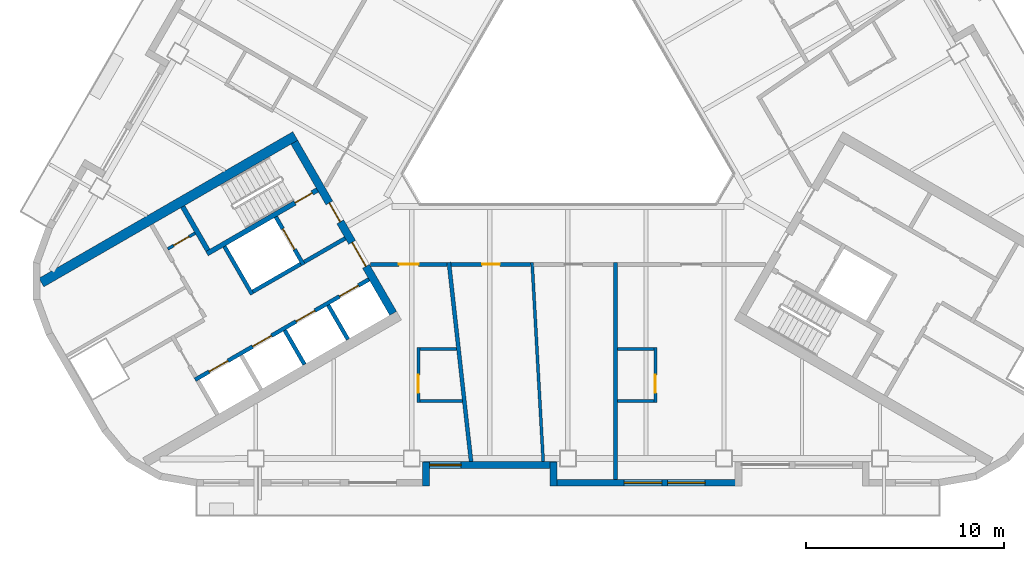
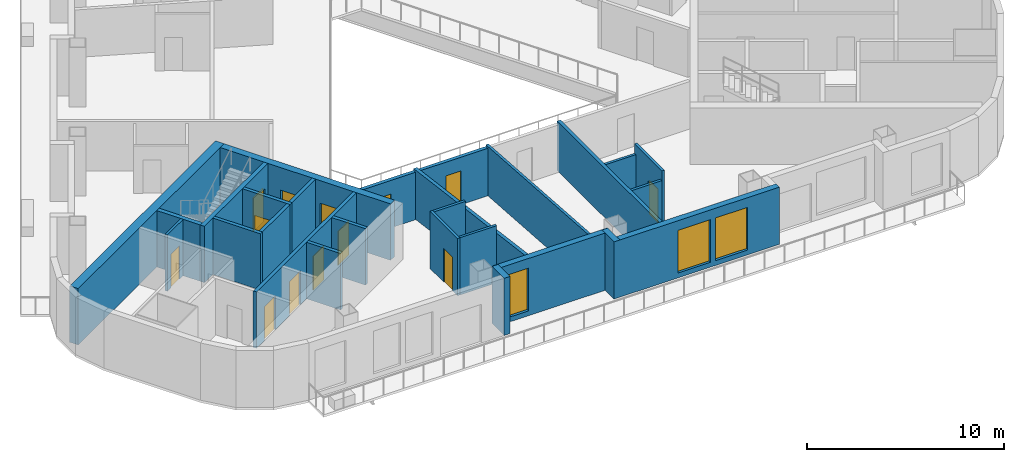
# One storey, part 3 of 13: 27 walls, 13 doors, 3 windows, 16 openings.
"""IFC4 building model written with IfcOpenShell, lengths in metres."""

from ifc_helpers import new_model, si_unit, direction, frame, frame_2d, origin, place, context, subcontext, project, spatial, rectangle, extrude, material, layer, layer_set, type_object, element, fill, save


model = new_model("IFC4")

# Units and contexts
model_context = context("Model", 3, precision=1e-05, world=origin(), true_north=direction((0.0, 1.0)))
body_context = subcontext(model_context, "Body", "Model", "MODEL_VIEW")
ifc_project = project(units=[si_unit("LENGTHUNIT", "METRE"), si_unit("AREAUNIT", "SQUARE_METRE"), si_unit("VOLUMEUNIT", "CUBIC_METRE"), si_unit("PLANEANGLEUNIT", "RADIAN"), si_unit("MASSUNIT", "GRAM", prefix="KILO")], contexts=[model_context])

# Site, building, storey
site_placement = place(None, origin())
site = spatial("IfcSite", under=ifc_project, at=site_placement, CompositionType="ELEMENT")
building_placement = place(site_placement, origin())
building = spatial("IfcBuilding", under=site, at=building_placement, Name="Apuvela Tower Hotel", CompositionType="ELEMENT")
storey_placement = place(building_placement, frame((0.0, 0.0, 165.10009765625)))
storey = spatial("IfcBuildingStorey", under=building, at=storey_placement, Name="L39", CompositionType="ELEMENT", Elevation=165.10009765625)

# Wall, openings, doors
ifc_material_1 = material(Name="Concrete C50/60", Category="concrete")
ifc_layer_1 = layer(ifc_material_1, 0.39990234375)
ifc_layer_set_1 = layer_set([ifc_layer_1], Name="COR-WALL-CORE-400")
wall_type_1 = type_object("IfcWallType", Name="COR-WALL-CORE-400", PredefinedType="SHEAR", material=ifc_layer_set_1)
wall_1_placement = place(storey_placement, frame((-13.844970703125, -2.219970703125, 0.0), z_axis=(0.0, 0.0, 1.0), x_axis=(0.500004234368, -0.866022959057, 0.0)))
wall_1 = element("IfcWall", 1, at=wall_1_placement, inside=storey, type_object=wall_type_1, Name="Core wall SW", PredefinedType="SHEAR", context=body_context, shape_type="SweptSolid", body=[
    extrude(rectangle(XDim=10.0, YDim=0.39990234375, at=frame_2d((5.0, 0.0))), origin(), (0.0, 0.0, 1.0), 3.5),
])
opening_1_placement = place(wall_1_placement, frame((3.550048828125, 0.0, 0.0)))
opening_1 = element("IfcOpeningElement", 2, at=opening_1_placement, cuts=wall_1, Name="Opening W-FD", PredefinedType="OPENING", context=body_context, shape_type="SweptSolid", body=[
    extrude(rectangle(XDim=1.10009765625, YDim=2.10009765625, at=frame_2d((0.550048828125, 1.050048828125))), frame((0.0, 0.2099609375, 0.0), z_axis=(0.0, -1.0, 0.0), x_axis=(1.0, 0.0, 0.0)), (0.0, 0.0, 1.0), 0.419921875),
])
opening_2_placement = place(wall_1_placement, frame((5.85009765625, 0.0, 0.0)))
opening_2 = element("IfcOpeningElement", 3, at=opening_2_placement, cuts=wall_1, Name="Opening W-GD", PredefinedType="OPENING", context=body_context, shape_type="SweptSolid", body=[
    extrude(rectangle(XDim=1.39990234375, YDim=2.10009765625, at=frame_2d((0.699951171875, 1.050048828125))), frame((0.0, 0.2099609375, 0.0), z_axis=(0.0, -1.0, 0.0), x_axis=(1.0, 0.0, 0.0)), (0.0, 0.0, 1.0), 0.419921875),
])
ifc_material_2 = material(Name="Steel fire door, powder coated", Category="steel")
door_type_1 = type_object("IfcDoorType", Name="COR-FD-1100", OperationType="NOTDEFINED", PredefinedType="DOOR", material=ifc_material_2)
door_1_placement = place(opening_1_placement, frame((1.10009765625, 0.0, 0.0), z_axis=(0.0, 0.0, 1.0), x_axis=(-1.0, 0.0, 0.0)))
door_1 = element("IfcDoor", 4, at=door_1_placement, inside=storey, type_object=door_type_1, Name="Firefighting lobby door W-FD", OperationType="SINGLE_SWING_LEFT", OverallHeight=2.10009765625, OverallWidth=1.10009765625, PredefinedType="DOOR", context=body_context, shape_type="SweptSolid", body=[
    extrude(rectangle(XDim=1.10009765625, YDim=2.10009765625, at=frame_2d((0.550048828125, 1.050048828125))), frame((0.0, 0.02490234375, 0.0), z_axis=(0.0, -1.0, 0.0), x_axis=(1.0, 0.0, 0.0)), (0.0, 0.0, 1.0), 0.050048828125),
])
fill(opening_1, door_1)
ifc_material_3 = material(Name="Glazed steel fire door", Category="steel")
door_type_2 = type_object("IfcDoorType", Name="COR-GD-1400", OperationType="DOUBLE_DOOR_SINGLE_SWING", PredefinedType="DOOR", material=ifc_material_3)
door_2_placement = place(opening_2_placement, frame((1.39990234375, 0.0, 0.0), z_axis=(0.0, 0.0, 1.0), x_axis=(-1.0, 0.0, 0.0)))
door_2 = element("IfcDoor", 5, at=door_2_placement, inside=storey, type_object=door_type_2, Name="Lift lobby door W-GD", OperationType="DOUBLE_DOOR_SINGLE_SWING", OverallHeight=2.10009765625, OverallWidth=1.39990234375, PredefinedType="DOOR", context=body_context, shape_type="SweptSolid", body=[
    extrude(rectangle(XDim=1.39990234375, YDim=2.10009765625, at=frame_2d((0.699951171875, 1.050048828125))), frame((0.0, 0.02490234375, 0.0), z_axis=(0.0, -1.0, 0.0), x_axis=(1.0, 0.0, 0.0)), (0.0, 0.0, 1.0), 0.050048828125),
])
fill(opening_2, door_2)

# Wall
ifc_layer_2 = layer(ifc_material_1, 0.5)
ifc_layer_set_2 = layer_set([ifc_layer_2], Name="COR-WALL-CORE-500")
wall_type_2 = type_object("IfcWallType", Name="COR-WALL-CORE-500", PredefinedType="SHEAR", material=ifc_layer_set_2)
wall_2_placement = place(storey_placement, frame((-13.796630859375, -1.9033203125, 0.0), z_axis=(0.0, 0.0, 1.0), x_axis=(-0.866025009528, -0.500000682871, 0.0)))
element("IfcWall", 6, at=wall_2_placement, inside=storey, type_object=wall_type_2, Name="Core wall SW", PredefinedType="SHEAR", context=body_context, shape_type="SweptSolid", body=[
    extrude(rectangle(XDim=14.8369140625, YDim=0.5, at=frame_2d((7.41845703125, 0.0))), origin(), (0.0, 0.0, 1.0), 3.5),
])

# Wall, opening, door
ifc_material_4 = material(Name="Blockwork 150 mm plastered", Category="masonry")
ifc_layer_3 = layer(ifc_material_4, 0.14990234375)
ifc_layer_set_3 = layer_set([ifc_layer_3], Name="COR-WALL-PART-150")
wall_type_3 = type_object("IfcWallType", Name="COR-WALL-PART-150", PredefinedType="PARTITIONING", material=ifc_layer_set_3)
wall_3_placement = place(storey_placement, frame((-18.866455078125, -6.822265625, 0.0), z_axis=(0.0, 0.0, 1.0), x_axis=(-0.866028054938, -0.499995408039, 0.0)))
wall_3 = element("IfcWall", 7, at=wall_3_placement, inside=storey, type_object=wall_type_3, Name="Partition SW", PredefinedType="PARTITIONING", context=body_context, shape_type="SweptSolid", body=[
    extrude(rectangle(XDim=1.60009765625, YDim=0.14990234375, at=frame_2d((0.800048828125, 0.0))), origin(), (0.0, 0.0, 1.0), 3.5),
])
opening_3_placement = place(wall_3_placement, frame((0.35009765625, 0.0, 0.0)))
opening_3 = element("IfcOpeningElement", 8, at=opening_3_placement, cuts=wall_3, Name="Opening W-RD", PredefinedType="OPENING", context=body_context, shape_type="SweptSolid", body=[
    extrude(rectangle(XDim=0.89990234375, YDim=2.10009765625, at=frame_2d((0.449951171875, 1.050048828125))), frame((0.0, 0.0849609375, 0.0), z_axis=(0.0, -1.0, 0.0), x_axis=(1.0, 0.0, 0.0)), (0.0, 0.0, 1.0), 0.169921875),
])
ifc_material_5 = material(Name="Steel access door, powder coated", Category="steel")
door_type_3 = type_object("IfcDoorType", Name="COR-RD-900", OperationType="NOTDEFINED", PredefinedType="DOOR", material=ifc_material_5)
door_3_placement = place(opening_3_placement, frame((0.89990234375, 0.0, 0.0), z_axis=(0.0, 0.0, 1.0), x_axis=(-1.0, 0.0, 0.0)))
door_3 = element("IfcDoor", 9, at=door_3_placement, inside=storey, type_object=door_type_3, Name="Riser door W-RD", OperationType="SINGLE_SWING_RIGHT", OverallHeight=2.10009765625, OverallWidth=0.89990234375, PredefinedType="DOOR", context=body_context, shape_type="SweptSolid", body=[
    extrude(rectangle(XDim=0.89990234375, YDim=2.10009765625, at=frame_2d((0.449951171875, 1.050048828125))), frame((0.0, 0.02490234375, 0.0), z_axis=(0.0, -1.0, 0.0), x_axis=(1.0, 0.0, 0.0)), (0.0, 0.0, 1.0), 0.050048828125),
])
fill(opening_3, door_3)

# Wall
ifc_layer_4 = layer(ifc_material_1, 0.199951171875)
ifc_layer_set_4 = layer_set([ifc_layer_4], Name="COR-WALL-SHAFT-200")
wall_type_4 = type_object("IfcWallType", Name="COR-WALL-SHAFT-200", PredefinedType="SHEAR", material=ifc_layer_set_4)
wall_4_placement = place(storey_placement, frame((-17.38134765625, -7.49462890625, 0.0), z_axis=(0.0, 0.0, 1.0), x_axis=(0.500011755427, -0.866018616679, 0.0)))
element("IfcWall", 10, at=wall_4_placement, inside=storey, type_object=wall_type_4, Name="Shaft wall SW", PredefinedType="SHEAR", context=body_context, shape_type="SweptSolid", body=[
    extrude(rectangle(XDim=2.80029296875, YDim=0.199951171875, at=frame_2d((1.400146484375, 0.0))), origin(), (0.0, 0.0, 1.0), 3.5),
])

# Wall, opening, door
wall_5_placement = place(storey_placement, frame((-14.783203125, -5.99462890625, 0.0), z_axis=(0.0, 0.0, 1.0), x_axis=(0.49994636267, -0.866056369097, 0.0)))
wall_5 = element("IfcWall", 11, at=wall_5_placement, inside=storey, type_object=wall_type_4, Name="Shaft wall SW", PredefinedType="SHEAR", context=body_context, shape_type="SweptSolid", body=[
    extrude(rectangle(XDim=2.800048828125, YDim=0.199951171875, at=frame_2d((1.39990234375, 0.0))), origin(), (0.0, 0.0, 1.0), 3.5),
])
opening_4_placement = place(wall_5_placement, frame((0.699951171875, 0.0, 0.0)))
opening_4 = element("IfcOpeningElement", 12, at=opening_4_placement, cuts=wall_5, Name="Opening W-LD-FS2", PredefinedType="OPENING", context=body_context, shape_type="SweptSolid", body=[
    extrude(rectangle(XDim=1.199951171875, YDim=2.10009765625, at=frame_2d((0.60009765625, 1.050048828125))), frame((0.0, 0.10986328125, 0.0), z_axis=(0.0, -1.0, 0.0), x_axis=(1.0, 0.0, 0.0)), (0.0, 0.0, 1.0), 0.219970703125),
])
ifc_material_6 = material(Name="Stainless steel lift landing door", Category="steel")
door_type_4 = type_object("IfcDoorType", Name="COR-LD-1200", OperationType="DOUBLE_DOOR_SLIDING", PredefinedType="DOOR", material=ifc_material_6)
door_4_placement = place(opening_4_placement, origin())
door_4 = element("IfcDoor", 13, at=door_4_placement, inside=storey, type_object=door_type_4, Name="Lift landing door W-LD-FS2", OperationType="DOUBLE_DOOR_SLIDING", OverallHeight=2.10009765625, OverallWidth=1.199951171875, PredefinedType="DOOR", context=body_context, shape_type="SweptSolid", body=[
    extrude(rectangle(XDim=1.199951171875, YDim=2.10009765625, at=frame_2d((0.60009765625, 1.050048828125))), frame((0.0, 0.02490234375, 0.0), z_axis=(0.0, -1.0, 0.0), x_axis=(1.0, 0.0, 0.0)), (0.0, 0.0, 1.0), 0.050048828125),
])
fill(opening_4, door_4)

# Walls
wall_6_placement = place(storey_placement, frame((-13.519775390625, -8.383056640625, 0.0), z_axis=(0.0, 0.0, 1.0), x_axis=(-0.866034573852, -0.49998411664, 0.0)))
element("IfcWall", 14, at=wall_6_placement, inside=storey, type_object=wall_type_4, Name="Shaft wall SW", PredefinedType="SHEAR", context=body_context, shape_type="SweptSolid", body=[
    extrude(rectangle(XDim=2.7998046875, YDim=0.199951171875, at=frame_2d((1.39990234375, 0.0))), origin(), (0.0, 0.0, 1.0), 3.5),
])
wall_7_placement = place(storey_placement, frame((-11.26806640625, -7.0830078125, 0.0), z_axis=(0.0, 0.0, 1.0), x_axis=(-0.866050077142, -0.499957262057, 0.0)))
element("IfcWall", 15, at=wall_7_placement, inside=storey, type_object=wall_type_4, Name="Shaft wall SW", PredefinedType="SHEAR", context=body_context, shape_type="SweptSolid", body=[
    extrude(rectangle(XDim=2.400146484375, YDim=0.199951171875, at=frame_2d((1.2001953125, 0.0))), origin(), (0.0, 0.0, 1.0), 3.5),
])

# Wall, openings, doors
wall_8_placement = place(storey_placement, frame((-10.068115234375, -9.16162109375, 0.0), z_axis=(0.0, 0.0, 1.0), x_axis=(-0.866032725843, -0.499987317609, 0.0)))
wall_8 = element("IfcWall", 16, at=wall_8_placement, inside=storey, type_object=wall_type_4, Name="Shaft wall SW", PredefinedType="SHEAR", context=body_context, shape_type="SweptSolid", body=[
    extrude(rectangle(XDim=10.159912109375, YDim=0.199951171875, at=frame_2d((5.080078125, 0.0))), origin(), (0.0, 0.0, 1.0), 3.5),
])
opening_5_placement = place(wall_8_placement, frame((0.6201171875, 0.0, 0.0)))
opening_5 = element("IfcOpeningElement", 17, at=opening_5_placement, cuts=wall_8, Name="Opening W-LD-MR1", PredefinedType="OPENING", context=body_context, shape_type="SweptSolid", body=[
    extrude(rectangle(XDim=1.10009765625, YDim=2.10009765625, at=frame_2d((0.550048828125, 1.050048828125))), frame((0.0, 0.10986328125, 0.0), z_axis=(0.0, -1.0, 0.0), x_axis=(1.0, 0.0, 0.0)), (0.0, 0.0, 1.0), 0.219970703125),
])
opening_6_placement = place(wall_8_placement, frame((3.159912109375, 0.0, 0.0)))
opening_6 = element("IfcOpeningElement", 18, at=opening_6_placement, cuts=wall_8, Name="Opening W-LD-MR2", PredefinedType="OPENING", context=body_context, shape_type="SweptSolid", body=[
    extrude(rectangle(XDim=1.10009765625, YDim=2.10009765625, at=frame_2d((0.550048828125, 1.050048828125))), frame((0.0, 0.10986328125, 0.0), z_axis=(0.0, -1.0, 0.0), x_axis=(1.0, 0.0, 0.0)), (0.0, 0.0, 1.0), 0.219970703125),
])
opening_7_placement = place(wall_8_placement, frame((5.699951171875, 0.0, 0.0)))
opening_7 = element("IfcOpeningElement", 19, at=opening_7_placement, cuts=wall_8, Name="Opening W-LD-MR3", PredefinedType="OPENING", context=body_context, shape_type="SweptSolid", body=[
    extrude(rectangle(XDim=1.10009765625, YDim=2.10009765625, at=frame_2d((0.550048828125, 1.050048828125))), frame((0.0, 0.10986328125, 0.0), z_axis=(0.0, -1.0, 0.0), x_axis=(1.0, 0.0, 0.0)), (0.0, 0.0, 1.0), 0.219970703125),
])
opening_8_placement = place(wall_8_placement, frame((8.239990234375, 0.0, 0.0)))
opening_8 = element("IfcOpeningElement", 20, at=opening_8_placement, cuts=wall_8, Name="Opening W-LD-MR4", PredefinedType="OPENING", context=body_context, shape_type="SweptSolid", body=[
    extrude(rectangle(XDim=1.10009765625, YDim=2.10009765625, at=frame_2d((0.550048828125, 1.050048828125))), frame((0.0, 0.10986328125, 0.0), z_axis=(0.0, -1.0, 0.0), x_axis=(1.0, 0.0, 0.0)), (0.0, 0.0, 1.0), 0.219970703125),
])
door_type_5 = type_object("IfcDoorType", Name="COR-LD-1100", OperationType="DOUBLE_DOOR_SLIDING", PredefinedType="DOOR", material=ifc_material_6)
door_5_placement = place(opening_5_placement, origin())
door_5 = element("IfcDoor", 21, at=door_5_placement, inside=storey, type_object=door_type_5, Name="Lift landing door W-LD-MR1", OperationType="DOUBLE_DOOR_SLIDING", OverallHeight=2.10009765625, OverallWidth=1.10009765625, PredefinedType="DOOR", context=body_context, shape_type="SweptSolid", body=[
    extrude(rectangle(XDim=1.10009765625, YDim=2.10009765625, at=frame_2d((0.550048828125, 1.050048828125))), frame((0.0, 0.02490234375, 0.0), z_axis=(0.0, -1.0, 0.0), x_axis=(1.0, 0.0, 0.0)), (0.0, 0.0, 1.0), 0.050048828125),
])
fill(opening_5, door_5)
door_6_placement = place(opening_6_placement, origin())
door_6 = element("IfcDoor", 22, at=door_6_placement, inside=storey, type_object=door_type_5, Name="Lift landing door W-LD-MR2", OperationType="DOUBLE_DOOR_SLIDING", OverallHeight=2.10009765625, OverallWidth=1.10009765625, PredefinedType="DOOR", context=body_context, shape_type="SweptSolid", body=[
    extrude(rectangle(XDim=1.10009765625, YDim=2.10009765625, at=frame_2d((0.550048828125, 1.050048828125))), frame((0.0, 0.02490234375, 0.0), z_axis=(0.0, -1.0, 0.0), x_axis=(1.0, 0.0, 0.0)), (0.0, 0.0, 1.0), 0.050048828125),
])
fill(opening_6, door_6)
door_7_placement = place(opening_7_placement, origin())
door_7 = element("IfcDoor", 23, at=door_7_placement, inside=storey, type_object=door_type_5, Name="Lift landing door W-LD-MR3", OperationType="DOUBLE_DOOR_SLIDING", OverallHeight=2.10009765625, OverallWidth=1.10009765625, PredefinedType="DOOR", context=body_context, shape_type="SweptSolid", body=[
    extrude(rectangle(XDim=1.10009765625, YDim=2.10009765625, at=frame_2d((0.550048828125, 1.050048828125))), frame((0.0, 0.02490234375, 0.0), z_axis=(0.0, -1.0, 0.0), x_axis=(1.0, 0.0, 0.0)), (0.0, 0.0, 1.0), 0.050048828125),
])
fill(opening_7, door_7)
door_8_placement = place(opening_8_placement, origin())
door_8 = element("IfcDoor", 24, at=door_8_placement, inside=storey, type_object=door_type_5, Name="Lift landing door W-LD-MR4", OperationType="DOUBLE_DOOR_SLIDING", OverallHeight=2.10009765625, OverallWidth=1.10009765625, PredefinedType="DOOR", context=body_context, shape_type="SweptSolid", body=[
    extrude(rectangle(XDim=1.10009765625, YDim=2.10009765625, at=frame_2d((0.550048828125, 1.050048828125))), frame((0.0, 0.02490234375, 0.0), z_axis=(0.0, -1.0, 0.0), x_axis=(1.0, 0.0, 0.0)), (0.0, 0.0, 1.0), 0.050048828125),
])
fill(opening_8, door_8)

# Walls
for number, where, z_axis, x_axis, name in (
    (25, (-12.131103515625, -10.468017578125, 0.0), (0.0, 0.0, 1.0), (0.499972520799, -0.866041268327, 0.0), "Shaft wall SW"),
    (26, (-14.330810546875, -11.738037109375, 0.0), (0.0, 0.0, 1.0), (0.499972520799, -0.866041268327, 0.0), "Shaft wall SW"),
):
    element("IfcWall", number, at=place(storey_placement, frame(where, z_axis=z_axis, x_axis=x_axis)), inside=storey, type_object=wall_type_4, Name=name, PredefinedType="SHEAR", context=body_context, shape_type="SweptSolid", body=[
        extrude(rectangle(XDim=2.0, YDim=0.199951171875, at=frame_2d((1.0, 0.0))), origin(), (0.0, 0.0, 1.0), 3.5),
    ])

# Wall, opening, door
ifc_layer_5 = layer(ifc_material_1, 0.25)
ifc_layer_set_5 = layer_set([ifc_layer_5], Name="COR-WALL-STAIR-250")
wall_type_5 = type_object("IfcWallType", Name="COR-WALL-STAIR-250", PredefinedType="SHEAR", material=ifc_layer_set_5)
wall_9_placement = place(storey_placement, frame((-12.6806640625, -4.636474609375, 0.0), z_axis=(0.0, 0.0, 1.0), x_axis=(-0.866021702275, -0.500006411147, 0.0)))
wall_9 = element("IfcWall", 27, at=wall_9_placement, inside=storey, type_object=wall_type_5, Name="Stair wall SW", PredefinedType="SHEAR", context=body_context, shape_type="SweptSolid", body=[
    extrude(rectangle(XDim=6.4501953125, YDim=0.25, at=frame_2d((3.22509765625, 0.0))), origin(), (0.0, 0.0, 1.0), 3.5),
])
opening_9_placement = place(wall_9_placement, frame((0.300048828125, 0.0, 0.0)))
opening_9 = element("IfcOpeningElement", 28, at=opening_9_placement, cuts=wall_9, Name="Opening W-SD", PredefinedType="OPENING", context=body_context, shape_type="SweptSolid", body=[
    extrude(rectangle(XDim=1.0, YDim=2.10009765625, at=frame_2d((0.5, 1.050048828125))), frame((0.0, 0.135009765625, 0.0), z_axis=(0.0, -1.0, 0.0), x_axis=(1.0, 0.0, 0.0)), (0.0, 0.0, 1.0), 0.27001953125),
])
door_type_6 = type_object("IfcDoorType", Name="COR-SD-1000", OperationType="NOTDEFINED", PredefinedType="DOOR", material=ifc_material_2)
door_9_placement = place(opening_9_placement, frame((1.0, 0.0, 0.0), z_axis=(0.0, 0.0, 1.0), x_axis=(-1.0, 0.0, 0.0)))
door_9 = element("IfcDoor", 29, at=door_9_placement, inside=storey, type_object=door_type_6, Name="Stair door W-SD", OperationType="SINGLE_SWING_LEFT", OverallHeight=2.10009765625, OverallWidth=1.0, PredefinedType="DOOR", context=body_context, shape_type="SweptSolid", body=[
    extrude(rectangle(XDim=1.0, YDim=2.10009765625, at=frame_2d((0.5, 1.050048828125))), frame((0.0, 0.02490234375, 0.0), z_axis=(0.0, -1.0, 0.0), x_axis=(1.0, 0.0, 0.0)), (0.0, 0.0, 1.0), 0.050048828125),
])
fill(opening_9, door_9)

# Walls
wall_10_placement = place(storey_placement, frame((-19.49560546875, -5.482421875, 0.0), z_axis=(0.0, 0.0, 1.0), x_axis=(0.499990435942, -0.866030925526, 0.0)))
element("IfcWall", 30, at=wall_10_placement, inside=storey, type_object=wall_type_5, Name="Stair wall SW", PredefinedType="SHEAR", context=body_context, shape_type="SweptSolid", body=[
    extrude(rectangle(XDim=2.5498046875, YDim=0.25, at=frame_2d((1.27490234375, 0.0))), origin(), (0.0, 0.0, 1.0), 3.5),
])
ifc_material_7 = material(Name="Concrete C40/50, dark pigmented precast panel", Category="concrete")
ifc_layer_6 = layer(ifc_material_7, 0.35009765625)
ifc_layer_set_6 = layer_set([ifc_layer_6], Name="ENV-WALL-350")
wall_type_6 = type_object("IfcWallType", Name="ENV-WALL-350", PredefinedType="SOLIDWALL", material=ifc_layer_set_6)
wall_11_placement = place(storey_placement, frame((-7.175048828125, -19.6298828125, 0.0), z_axis=(0.0, 0.0, 1.0), x_axis=(0.0, 1.0, 0.0)))
element("IfcWall", 31, at=wall_11_placement, inside=storey, type_object=wall_type_6, Name="External wall L39-18", PredefinedType="SOLIDWALL", context=body_context, shape_type="SweptSolid", body=[
    extrude(rectangle(XDim=1.219970703125, YDim=0.35009765625, at=frame_2d((0.60986328125, 0.0))), origin(), (0.0, 0.0, 1.0), 3.5498046875),
])

# Wall, opening, window
wall_12_placement = place(storey_placement, frame((-7.320068359375, -18.554931640625, 0.0), z_axis=(0.0, 0.0, 1.0), x_axis=(1.0, 0.0, 0.0)))
wall_12 = element("IfcWall", 32, at=wall_12_placement, inside=storey, type_object=wall_type_6, Name="External wall L39-19", PredefinedType="SOLIDWALL", context=body_context, shape_type="SweptSolid", body=[
    extrude(rectangle(XDim=6.739990234375, YDim=0.35009765625, at=frame_2d((3.3701171875, 0.0))), origin(), (0.0, 0.0, 1.0), 3.5498046875),
])
opening_10_placement = place(wall_12_placement, frame((0.3203125, 0.0, 0.300048828125)))
opening_10 = element("IfcOpeningElement", 33, at=opening_10_placement, cuts=wall_12, Name="Opening WN16", PredefinedType="OPENING", context=body_context, shape_type="SweptSolid", body=[
    extrude(rectangle(XDim=1.60009765625, YDim=2.64990234375, at=frame_2d((0.800048828125, 1.324951171875))), frame((0.0, 0.18505859375, 0.0), z_axis=(0.0, -1.0, 0.0), x_axis=(1.0, 0.0, 0.0)), (0.0, 0.0, 1.0), 0.3701171875),
])
ifc_material_8 = material(Name="Glass, dark tinted laminated insulated glazing unit", Category="glass")
window_type_1 = type_object("IfcWindowType", Name="ENV-WIN-1600x2650", PartitioningType="SINGLE_PANEL", PredefinedType="WINDOW", material=ifc_material_8)
window_1_placement = place(opening_10_placement, origin())
window_1 = element("IfcWindow", 34, at=window_1_placement, inside=storey, type_object=window_type_1, Name="Window WN16", OverallHeight=2.64990234375, OverallWidth=1.60009765625, PartitioningType="SINGLE_PANEL", PredefinedType="WINDOW", context=body_context, shape_type="SweptSolid", body=[
    extrude(rectangle(XDim=1.60009765625, YDim=2.64990234375, at=frame_2d((0.800048828125, 1.324951171875))), frame((0.0, 0.030029296875, 0.0), z_axis=(0.0, -1.0, 0.0), x_axis=(1.0, 0.0, 0.0)), (0.0, 0.0, 1.0), 0.06005859375),
])
fill(opening_10, window_1)

# Wall
wall_13_placement = place(storey_placement, frame((-0.72509765625, -18.409912109375, 0.0), z_axis=(0.0, 0.0, 1.0), x_axis=(0.0, -1.0, 0.0)))
element("IfcWall", 35, at=wall_13_placement, inside=storey, type_object=wall_type_6, Name="External wall L39-20", PredefinedType="SOLIDWALL", context=body_context, shape_type="SweptSolid", body=[
    extrude(rectangle(XDim=1.219970703125, YDim=0.35009765625, at=frame_2d((0.60986328125, 0.0))), origin(), (0.0, 0.0, 1.0), 3.5498046875),
])

# Wall, openings, windows
wall_14_placement = place(storey_placement, frame((-0.89990234375, -19.455078125, 0.0), z_axis=(0.0, 0.0, 1.0), x_axis=(1.0, 0.0, 0.0)))
wall_14 = element("IfcWall", 36, at=wall_14_placement, inside=storey, type_object=wall_type_6, Name="External wall L39-21", PredefinedType="SOLIDWALL", context=body_context, shape_type="SweptSolid", body=[
    extrude(rectangle(XDim=9.699951171875, YDim=0.35009765625, at=frame_2d((4.85009765625, 0.0))), origin(), (0.0, 0.0, 1.0), 3.5498046875),
])
opening_11_placement = place(wall_14_placement, frame((3.75, 0.0, 0.300048828125)))
opening_11 = element("IfcOpeningElement", 37, at=opening_11_placement, cuts=wall_14, Name="Opening WN19", PredefinedType="OPENING", context=body_context, shape_type="SweptSolid", body=[
    extrude(rectangle(XDim=1.89990234375, YDim=2.64990234375, at=frame_2d((0.949951171875, 1.324951171875))), frame((0.0, 0.18505859375, 0.0), z_axis=(0.0, -1.0, 0.0), x_axis=(1.0, 0.0, 0.0)), (0.0, 0.0, 1.0), 0.3701171875),
])
opening_12_placement = place(wall_14_placement, frame((5.949951171875, 0.0, 0.300048828125)))
opening_12 = element("IfcOpeningElement", 38, at=opening_12_placement, cuts=wall_14, Name="Opening WN19", PredefinedType="OPENING", context=body_context, shape_type="SweptSolid", body=[
    extrude(rectangle(XDim=1.89990234375, YDim=2.64990234375, at=frame_2d((0.949951171875, 1.324951171875))), frame((0.0, 0.18505859375, 0.0), z_axis=(0.0, -1.0, 0.0), x_axis=(1.0, 0.0, 0.0)), (0.0, 0.0, 1.0), 0.3701171875),
])
window_type_2 = type_object("IfcWindowType", Name="ENV-WIN-1900x2650", PartitioningType="SINGLE_PANEL", PredefinedType="WINDOW", material=ifc_material_8)
window_2_placement = place(opening_11_placement, origin())
window_2 = element("IfcWindow", 39, at=window_2_placement, inside=storey, type_object=window_type_2, Name="Window WN19", OverallHeight=2.64990234375, OverallWidth=1.89990234375, PartitioningType="SINGLE_PANEL", PredefinedType="WINDOW", context=body_context, shape_type="SweptSolid", body=[
    extrude(rectangle(XDim=1.89990234375, YDim=2.64990234375, at=frame_2d((0.949951171875, 1.324951171875))), frame((0.0, 0.030029296875, 0.0), z_axis=(0.0, -1.0, 0.0), x_axis=(1.0, 0.0, 0.0)), (0.0, 0.0, 1.0), 0.06005859375),
])
fill(opening_11, window_2)
window_3_placement = place(opening_12_placement, origin())
window_3 = element("IfcWindow", 40, at=window_3_placement, inside=storey, type_object=window_type_2, Name="Window WN19", OverallHeight=2.64990234375, OverallWidth=1.89990234375, PartitioningType="SINGLE_PANEL", PredefinedType="WINDOW", context=body_context, shape_type="SweptSolid", body=[
    extrude(rectangle(XDim=1.89990234375, YDim=2.64990234375, at=frame_2d((0.949951171875, 1.324951171875))), frame((0.0, 0.030029296875, 0.0), z_axis=(0.0, -1.0, 0.0), x_axis=(1.0, 0.0, 0.0)), (0.0, 0.0, 1.0), 0.06005859375),
])
fill(opening_12, window_3)

# Walls
ifc_material_9 = material(Name="Gypsum board partition on twin steel stud", Category="steel")
ifc_layer_7 = layer(ifc_material_9, 0.199951171875)
ifc_layer_set_7 = layer_set([ifc_layer_7], Name="GST-PW1")
wall_type_7 = type_object("IfcWallType", Name="GST-PW1", PredefinedType="PARTITIONING", material=ifc_layer_set_7)
wall_15_placement = place(storey_placement, frame((-4.900146484375, -18.3798828125, 0.0), z_axis=(0.0, 0.0, 1.0), x_axis=(-0.110634961609, 0.993861109648, 0.0)))
element("IfcWall", 41, at=wall_15_placement, inside=storey, type_object=wall_type_7, Name="L39 partition 01", PredefinedType="PARTITIONING", context=body_context, shape_type="SweptSolid", body=[
    extrude(rectangle(XDim=10.14208984375, YDim=0.199951171875, at=frame_2d((5.071044921875, 0.0))), origin(), (0.0, 0.0, 1.0), 3.059814453125),
])
wall_16_placement = place(storey_placement, frame((2.39990234375, -19.280029296875, 0.0), z_axis=(0.0, 0.0, 1.0), x_axis=(0.0, 1.0, 0.0)))
element("IfcWall", 42, at=wall_16_placement, inside=storey, type_object=wall_type_7, Name="L39 partition 02", PredefinedType="PARTITIONING", context=body_context, shape_type="SweptSolid", body=[
    extrude(rectangle(XDim=10.97998046875, YDim=0.199951171875, at=frame_2d((5.489990234375, 0.0))), origin(), (0.0, 0.0, 1.0), 3.059814453125),
])

# Wall, opening, door
ifc_material_10 = material(Name="Gypsum board corridor wall on twin steel stud, acoustic", Category="steel")
ifc_layer_8 = layer(ifc_material_10, 0.199951171875)
ifc_layer_set_8 = layer_set([ifc_layer_8], Name="GST-PW2")
wall_type_8 = type_object("IfcWallType", Name="GST-PW2", PredefinedType="PARTITIONING", material=ifc_layer_set_8)
wall_17_placement = place(storey_placement, frame((-6.11181640625, -8.39990234375, 0.0), z_axis=(0.0, 0.0, 1.0), x_axis=(-1.0, 0.0, 0.0)))
wall_17 = element("IfcWall", 43, at=wall_17_placement, inside=storey, type_object=wall_type_8, Name="L39 partition 07", PredefinedType="PARTITIONING", context=body_context, shape_type="SweptSolid", body=[
    extrude(rectangle(XDim=3.87646484375, YDim=0.199951171875, at=frame_2d((1.938232421875, 0.0))), origin(), (0.0, 0.0, 1.0), 2.949951171875),
])
opening_13_placement = place(wall_17_placement, frame((1.438232421875, 0.0, 0.0)))
opening_13 = element("IfcOpeningElement", 44, at=opening_13_placement, cuts=wall_17, Name="Opening GD14-02", PredefinedType="OPENING", context=body_context, shape_type="SweptSolid", body=[
    extrude(rectangle(XDim=1.0, YDim=2.10009765625, at=frame_2d((0.5, 1.050048828125))), frame((0.0, 0.10986328125, 0.0), z_axis=(0.0, -1.0, 0.0), x_axis=(1.0, 0.0, 0.0)), (0.0, 0.0, 1.0), 0.219970703125),
])
ifc_material_11 = material(Name="Timber door leaf in steel frame", Category="steel")
door_type_7 = type_object("IfcDoorType", Name="GST-D1", OperationType="NOTDEFINED", PredefinedType="DOOR", material=ifc_material_11)
door_10_placement = place(opening_13_placement, origin())
door_10 = element("IfcDoor", 45, at=door_10_placement, inside=storey, type_object=door_type_7, Name="Door L39-02", OperationType="SINGLE_SWING_LEFT", OverallHeight=2.10009765625, OverallWidth=1.0, PredefinedType="DOOR", context=body_context, shape_type="SweptSolid", body=[
    extrude(rectangle(XDim=1.0, YDim=2.10009765625, at=frame_2d((0.5, 1.050048828125))), frame((0.0, 0.02490234375, 0.0), z_axis=(0.0, -1.0, 0.0), x_axis=(1.0, 0.0, 0.0)), (0.0, 0.0, 1.0), 0.050048828125),
])
fill(opening_13, door_10)

wall_18_placement = place(storey_placement, frame((-1.880615234375, -8.39990234375, 0.0), z_axis=(0.0, 0.0, 1.0), x_axis=(-1.0, 0.0, 0.0)))
wall_18 = element("IfcWall", 46, at=wall_18_placement, inside=storey, type_object=wall_type_8, Name="L39 partition 12", PredefinedType="PARTITIONING", context=body_context, shape_type="SweptSolid", body=[
    extrude(rectangle(XDim=4.02978515625, YDim=0.199951171875, at=frame_2d((2.014892578125, 0.0))), origin(), (0.0, 0.0, 1.0), 2.949951171875),
])
opening_14_placement = place(wall_18_placement, frame((1.56494140625, 0.0, 0.0)))
opening_14 = element("IfcOpeningElement", 47, at=opening_14_placement, cuts=wall_18, Name="Opening GD14-03", PredefinedType="OPENING", context=body_context, shape_type="SweptSolid", body=[
    extrude(rectangle(XDim=0.89990234375, YDim=2.10009765625, at=frame_2d((0.449951171875, 1.050048828125))), frame((0.0, 0.10986328125, 0.0), z_axis=(0.0, -1.0, 0.0), x_axis=(1.0, 0.0, 0.0)), (0.0, 0.0, 1.0), 0.219970703125),
])
door_type_8 = type_object("IfcDoorType", Name="GST-D2", OperationType="NOTDEFINED", PredefinedType="DOOR", material=ifc_material_11)
door_11_placement = place(opening_14_placement, origin())
door_11 = element("IfcDoor", 48, at=door_11_placement, inside=storey, type_object=door_type_8, Name="Door L39-03", OperationType="SINGLE_SWING_LEFT", OverallHeight=2.10009765625, OverallWidth=0.89990234375, PredefinedType="DOOR", context=body_context, shape_type="SweptSolid", body=[
    extrude(rectangle(XDim=0.89990234375, YDim=2.10009765625, at=frame_2d((0.449951171875, 1.050048828125))), frame((0.0, 0.02490234375, 0.0), z_axis=(0.0, -1.0, 0.0), x_axis=(1.0, 0.0, 0.0)), (0.0, 0.0, 1.0), 0.050048828125),
])
fill(opening_14, door_11)

ifc_material_12 = material(Name="Moisture-resistant gypsum board wet wall on steel stud", Category="steel")
ifc_layer_9 = layer(ifc_material_12, 0.14990234375)
ifc_layer_set_9 = layer_set([ifc_layer_9], Name="GST-PW3")
wall_type_9 = type_object("IfcWallType", Name="GST-PW3", PredefinedType="PARTITIONING", material=ifc_layer_set_9)
wall_19_placement = place(storey_placement, frame((-7.569091796875, -12.60009765625, 0.0), z_axis=(0.0, 0.0, 1.0), x_axis=(0.0, -1.0, 0.0)))
wall_19 = element("IfcWall", 49, at=wall_19_placement, inside=storey, type_object=wall_type_9, Name="L39 partition 08", PredefinedType="PARTITIONING", context=body_context, shape_type="SweptSolid", body=[
    extrude(rectangle(XDim=2.7998046875, YDim=0.14990234375, at=frame_2d((1.39990234375, 0.0))), origin(), (0.0, 0.0, 1.0), 3.5498046875),
])
opening_15_placement = place(wall_19_placement, frame((1.39990234375, 0.0, 0.0)))
opening_15 = element("IfcOpeningElement", 50, at=opening_15_placement, cuts=wall_19, Name="Opening GD14-01", PredefinedType="OPENING", context=body_context, shape_type="SweptSolid", body=[
    extrude(rectangle(XDim=0.89990234375, YDim=2.10009765625, at=frame_2d((0.449951171875, 1.050048828125))), frame((0.0, 0.0849609375, 0.0), z_axis=(0.0, -1.0, 0.0), x_axis=(1.0, 0.0, 0.0)), (0.0, 0.0, 1.0), 0.169921875),
])
door_12_placement = place(opening_15_placement, origin())
door_12 = element("IfcDoor", 51, at=door_12_placement, inside=storey, type_object=door_type_8, Name="Door L39-01", OperationType="SINGLE_SWING_RIGHT", OverallHeight=2.10009765625, OverallWidth=0.89990234375, PredefinedType="DOOR", context=body_context, shape_type="SweptSolid", body=[
    extrude(rectangle(XDim=0.89990234375, YDim=2.10009765625, at=frame_2d((0.449951171875, 1.050048828125))), frame((0.0, 0.02490234375, 0.0), z_axis=(0.0, -1.0, 0.0), x_axis=(1.0, 0.0, 0.0)), (0.0, 0.0, 1.0), 0.050048828125),
])
fill(opening_15, door_12)

# Walls
wall_20_placement = place(storey_placement, frame((-7.494140625, -15.324951171875, 0.0), z_axis=(0.0, 0.0, 1.0), x_axis=(1.0, 0.0, 0.0)))
element("IfcWall", 52, at=wall_20_placement, inside=storey, type_object=wall_type_9, Name="L39 partition 09", PredefinedType="PARTITIONING", context=body_context, shape_type="SweptSolid", body=[
    extrude(rectangle(XDim=2.1533203125, YDim=0.14990234375, at=frame_2d((1.07666015625, 0.0))), origin(), (0.0, 0.0, 1.0), 3.5498046875),
])
wall_21_placement = place(storey_placement, frame((-7.494140625, -12.675048828125, 0.0), z_axis=(0.0, 0.0, 1.0), x_axis=(1.0, 0.0, 0.0)))
element("IfcWall", 53, at=wall_21_placement, inside=storey, type_object=wall_type_9, Name="L39 partition 10", PredefinedType="PARTITIONING", context=body_context, shape_type="SweptSolid", body=[
    extrude(rectangle(XDim=1.858154296875, YDim=0.14990234375, at=frame_2d((0.92919921875, 0.0))), origin(), (0.0, 0.0, 1.0), 3.5498046875),
])
wall_22_placement = place(storey_placement, frame((-1.25, -18.3798828125, 0.0), z_axis=(0.0, 0.0, 1.0), x_axis=(-0.055573151667, 0.998454618305, 0.0)))
element("IfcWall", 54, at=wall_22_placement, inside=storey, type_object=wall_type_9, Name="L39 partition 11", PredefinedType="PARTITIONING", context=body_context, shape_type="SweptSolid", body=[
    extrude(rectangle(XDim=10.095458984375, YDim=0.14990234375, at=frame_2d((5.0478515625, 0.0))), origin(), (0.0, 0.0, 1.0), 3.059814453125),
])

# Wall, opening, door
wall_23_placement = place(storey_placement, frame((4.425048828125, -15.39990234375, 0.0), z_axis=(0.0, 0.0, 1.0), x_axis=(0.0, 1.0, 0.0)))
wall_23 = element("IfcWall", 55, at=wall_23_placement, inside=storey, type_object=wall_type_9, Name="L39 partition 15", PredefinedType="PARTITIONING", context=body_context, shape_type="SweptSolid", body=[
    extrude(rectangle(XDim=2.7998046875, YDim=0.14990234375, at=frame_2d((1.39990234375, 0.0))), origin(), (0.0, 0.0, 1.0), 3.5498046875),
])
opening_16_placement = place(wall_23_placement, frame((0.5, 0.0, 0.0)))
opening_16 = element("IfcOpeningElement", 56, at=opening_16_placement, cuts=wall_23, Name="Opening GD14-05", PredefinedType="OPENING", context=body_context, shape_type="SweptSolid", body=[
    extrude(rectangle(XDim=0.89990234375, YDim=2.10009765625, at=frame_2d((0.449951171875, 1.050048828125))), frame((0.0, 0.0849609375, 0.0), z_axis=(0.0, -1.0, 0.0), x_axis=(1.0, 0.0, 0.0)), (0.0, 0.0, 1.0), 0.169921875),
])
door_13_placement = place(opening_16_placement, origin())
door_13 = element("IfcDoor", 57, at=door_13_placement, inside=storey, type_object=door_type_8, Name="Door L39-05", OperationType="SINGLE_SWING_LEFT", OverallHeight=2.10009765625, OverallWidth=0.89990234375, PredefinedType="DOOR", context=body_context, shape_type="SweptSolid", body=[
    extrude(rectangle(XDim=0.89990234375, YDim=2.10009765625, at=frame_2d((0.449951171875, 1.050048828125))), frame((0.0, 0.02490234375, 0.0), z_axis=(0.0, -1.0, 0.0), x_axis=(1.0, 0.0, 0.0)), (0.0, 0.0, 1.0), 0.050048828125),
])
fill(opening_16, door_13)

# Walls
for number, where, z_axis, x_axis, name in (
    (58, (2.5, -15.324951171875, 0.0), (0.0, 0.0, 1.0), (1.0, 0.0, 0.0), "L39 partition 16"),
    (59, (2.5, -12.675048828125, 0.0), (0.0, 0.0, 1.0), (1.0, 0.0, 0.0), "L39 partition 17"),
):
    element("IfcWall", number, at=place(storey_placement, frame(where, z_axis=z_axis, x_axis=x_axis)), inside=storey, type_object=wall_type_9, Name=name, PredefinedType="PARTITIONING", context=body_context, shape_type="SweptSolid", body=[
        extrude(rectangle(XDim=1.85009765625, YDim=0.14990234375, at=frame_2d((0.925048828125, 0.0))), origin(), (0.0, 0.0, 1.0), 2.949951171875),
    ])

save(model, "model.ifc")
